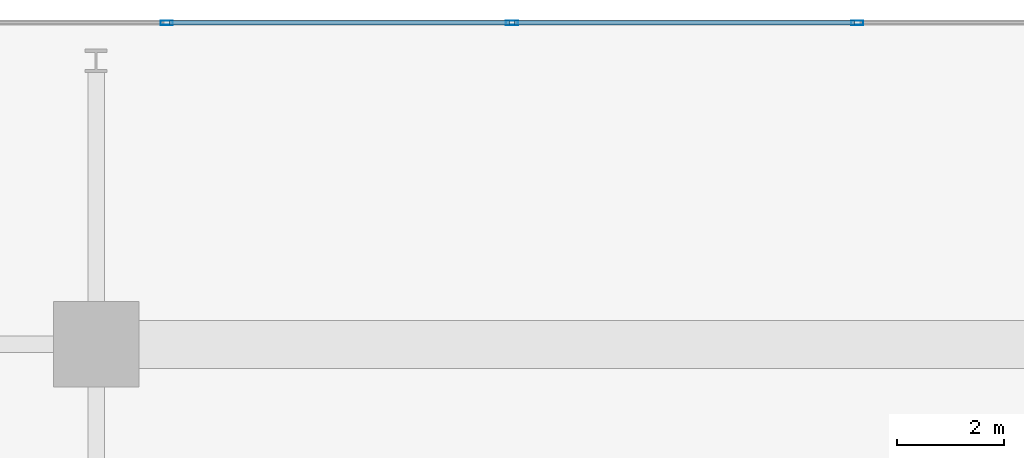
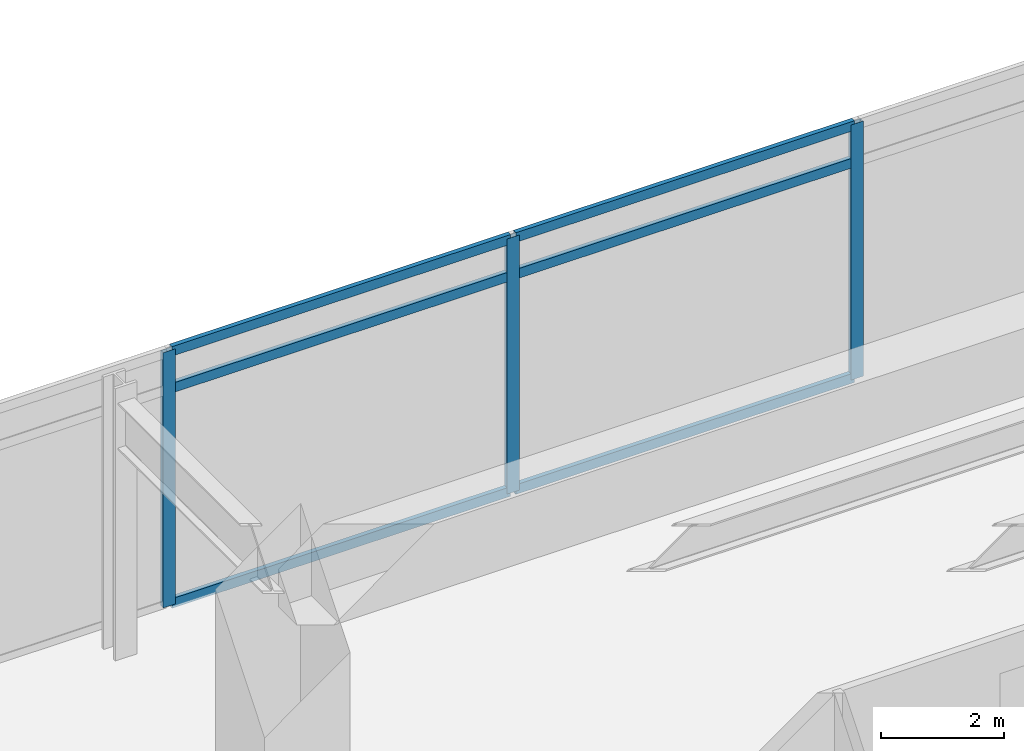
# One storey, part 15 of 23: 9 members, 1 element without a shape of its own.
"""IFC4 building model written with IfcOpenShell, lengths in metres."""

from ifc_helpers import new_model, si_unit, direction, frame, origin, origin_2d, place, context, subcontext, project, spatial, hollow_rectangle, extrude, material, material_profile, profile_set, type_object, element, aggregate, save


model = new_model("IFC4")

# Units and contexts
model_context = context("Model", 3, precision=1e-05, world=origin(), true_north=direction((0.0, 1.0)))
body_context = subcontext(model_context, "Body", "Model", "MODEL_VIEW")
ifc_project = project(units=[si_unit("LENGTHUNIT", "METRE"), si_unit("AREAUNIT", "SQUARE_METRE"), si_unit("VOLUMEUNIT", "CUBIC_METRE"), si_unit("PLANEANGLEUNIT", "RADIAN"), si_unit("MASSUNIT", "GRAM", prefix="KILO")], contexts=[model_context])

# Site, building, storey
site_placement = place(None, origin())
site = spatial("IfcSite", under=ifc_project, at=site_placement, CompositionType="ELEMENT")
building_placement = place(site_placement, origin())
building = spatial("IfcBuilding", under=site, at=building_placement, Name="Kovane Verandah Tower", CompositionType="ELEMENT")
storey_placement = place(building_placement, frame((0.0, 0.0, 107.60009765625)))
storey = spatial("IfcBuildingStorey", under=building, at=storey_placement, Name="L25", CompositionType="ELEMENT", Elevation=107.60009765625)

# Curtain wall, members
ifc_material_1 = material(Name="Champagne Anodised Aluminium Frame with Low-E Clear Laminated Glass", Category="aluminium")
curtain_wall_type = type_object("IfcCurtainWallType", Name="CW-SYS-02-LOW", PredefinedType="NOTDEFINED", material=ifc_material_1)
curtain_wall_placement = place(storey_placement, origin())
curtain_wall = element("IfcCurtainWall", 1, at=curtain_wall_placement, inside=storey, type_object=curtain_wall_type, Name="L25 N Unitised Curtain Wall", PredefinedType="NOTDEFINED")
ifc_material_2 = material(Name="Champagne Anodised Aluminium 6063-T6", Category="aluminium")
ifc_material_profile_1 = material_profile(ifc_material_2, hollow_rectangle(XDim=0.0849609375, YDim=0.22998046875, WallThickness=0.00390625, at=origin_2d()), Name="AL85x230x4")
ifc_profile_set_1 = profile_set([ifc_material_profile_1], Name="Champagne Anodised Aluminium 6063-T6")
member_type_1 = type_object("IfcMemberType", Name="CW-MUL-85x230", PredefinedType="MULLION", material=ifc_profile_set_1)
member_1_placement = place(storey_placement, frame((43.226806640625, 50.2109375, 0.02001953125), z_axis=(0.0, 0.0, 1.0), x_axis=(0.0, 1.0, 0.0)))
member_1 = element("IfcMember", 2, at=member_1_placement, type_object=member_type_1, Name="L25 N Unitised Curtain Wall Mullion 4", PredefinedType="MULLION", context=body_context, shape_type="SweptSolid", body=[
    extrude(hollow_rectangle(XDim=0.0849609375, YDim=0.22998046875, WallThickness=0.00390625, at=origin_2d()), origin(), (0.0, 0.0, 1.0), 5.059814453125),
])
member_2_placement = place(storey_placement, frame((36.773193359375, 50.2109375, 0.02001953125), z_axis=(0.0, 0.0, 1.0), x_axis=(0.0, 1.0, 0.0)))
member_2 = element("IfcMember", 3, at=member_2_placement, type_object=member_type_1, Name="L25 N Unitised Curtain Wall Mullion 5", PredefinedType="MULLION", context=body_context, shape_type="SweptSolid", body=[
    extrude(hollow_rectangle(XDim=0.0849609375, YDim=0.22998046875, WallThickness=0.00390625, at=origin_2d()), origin(), (0.0, 0.0, 1.0), 5.059814453125),
])
member_3_placement = place(storey_placement, frame((30.31982421875, 50.2109375, 0.02001953125), z_axis=(0.0, 0.0, 1.0), x_axis=(0.0, 1.0, 0.0)))
member_3 = element("IfcMember", 4, at=member_3_placement, type_object=member_type_1, Name="L25 N Unitised Curtain Wall Mullion 6", PredefinedType="MULLION", context=body_context, shape_type="SweptSolid", body=[
    extrude(hollow_rectangle(XDim=0.0849609375, YDim=0.22998046875, WallThickness=0.00390625, at=origin_2d()), origin(), (0.0, 0.0, 1.0), 5.059814453125),
])
ifc_material_profile_2 = material_profile(ifc_material_2, hollow_rectangle(XDim=0.0849609375, YDim=0.18994140625, WallThickness=0.00390625, at=origin_2d()), Name="AL85x190x4")
ifc_profile_set_2 = profile_set([ifc_material_profile_2], Name="Champagne Anodised Aluminium 6063-T6")
member_type_2 = type_object("IfcMemberType", Name="CW-TRN-85x190", PredefinedType="USERDEFINED", material=ifc_profile_set_2)
member_4_placement = place(storey_placement, frame((43.1767578125, 50.2109375, 0.0498046875), z_axis=(-1.0, 0.0, 0.0), x_axis=(0.0, -1.0, 0.0)))
member_4 = element("IfcMember", 5, at=member_4_placement, type_object=member_type_2, Name="L25 N Unitised Curtain Wall Transom TB Bay 4", ObjectType="TRANSOM", PredefinedType="USERDEFINED", context=body_context, shape_type="SweptSolid", body=[
    extrude(hollow_rectangle(XDim=0.0849609375, YDim=0.18994140625, WallThickness=0.00390625, at=origin_2d()), origin(), (0.0, 0.0, 1.0), 6.353515625),
])
member_5_placement = place(storey_placement, frame((43.1767578125, 50.2109375, 4.31982421875), z_axis=(-1.0, 0.0, 0.0), x_axis=(0.0, -1.0, 0.0)))
member_5 = element("IfcMember", 6, at=member_5_placement, type_object=member_type_2, Name="L25 N Unitised Curtain Wall Transom TM Bay 4", ObjectType="TRANSOM", PredefinedType="USERDEFINED", context=body_context, shape_type="SweptSolid", body=[
    extrude(hollow_rectangle(XDim=0.0849609375, YDim=0.18994140625, WallThickness=0.00390625, at=origin_2d()), origin(), (0.0, 0.0, 1.0), 6.353515625),
])
member_6_placement = place(storey_placement, frame((43.1767578125, 50.2109375, 5.0498046875), z_axis=(-1.0, 0.0, 0.0), x_axis=(0.0, -1.0, 0.0)))
member_6 = element("IfcMember", 7, at=member_6_placement, type_object=member_type_2, Name="L25 N Unitised Curtain Wall Transom TT Bay 4", ObjectType="TRANSOM", PredefinedType="USERDEFINED", context=body_context, shape_type="SweptSolid", body=[
    extrude(hollow_rectangle(XDim=0.0849609375, YDim=0.18994140625, WallThickness=0.00390625, at=origin_2d()), origin(), (0.0, 0.0, 1.0), 6.353515625),
])
member_7_placement = place(storey_placement, frame((36.723388671875, 50.2109375, 0.0498046875), z_axis=(-1.0, 0.0, 0.0), x_axis=(0.0, -1.0, 0.0)))
member_7 = element("IfcMember", 8, at=member_7_placement, type_object=member_type_2, Name="L25 N Unitised Curtain Wall Transom TB Bay 5", ObjectType="TRANSOM", PredefinedType="USERDEFINED", context=body_context, shape_type="SweptSolid", body=[
    extrude(hollow_rectangle(XDim=0.0849609375, YDim=0.18994140625, WallThickness=0.00390625, at=origin_2d()), origin(), (0.0, 0.0, 1.0), 6.353515625),
])
member_8_placement = place(storey_placement, frame((36.723388671875, 50.2109375, 4.31982421875), z_axis=(-1.0, 0.0, 0.0), x_axis=(0.0, -1.0, 0.0)))
member_8 = element("IfcMember", 9, at=member_8_placement, type_object=member_type_2, Name="L25 N Unitised Curtain Wall Transom TM Bay 5", ObjectType="TRANSOM", PredefinedType="USERDEFINED", context=body_context, shape_type="SweptSolid", body=[
    extrude(hollow_rectangle(XDim=0.0849609375, YDim=0.18994140625, WallThickness=0.00390625, at=origin_2d()), origin(), (0.0, 0.0, 1.0), 6.353515625),
])
member_9_placement = place(storey_placement, frame((36.723388671875, 50.2109375, 5.0498046875), z_axis=(-1.0, 0.0, 0.0), x_axis=(0.0, -1.0, 0.0)))
member_9 = element("IfcMember", 10, at=member_9_placement, type_object=member_type_2, Name="L25 N Unitised Curtain Wall Transom TT Bay 5", ObjectType="TRANSOM", PredefinedType="USERDEFINED", context=body_context, shape_type="SweptSolid", body=[
    extrude(hollow_rectangle(XDim=0.0849609375, YDim=0.18994140625, WallThickness=0.00390625, at=origin_2d()), origin(), (0.0, 0.0, 1.0), 6.353515625),
])
aggregate(curtain_wall, [member_1, member_2, member_3, member_4, member_5, member_6, member_7, member_8, member_9])

save(model, "model.ifc")
